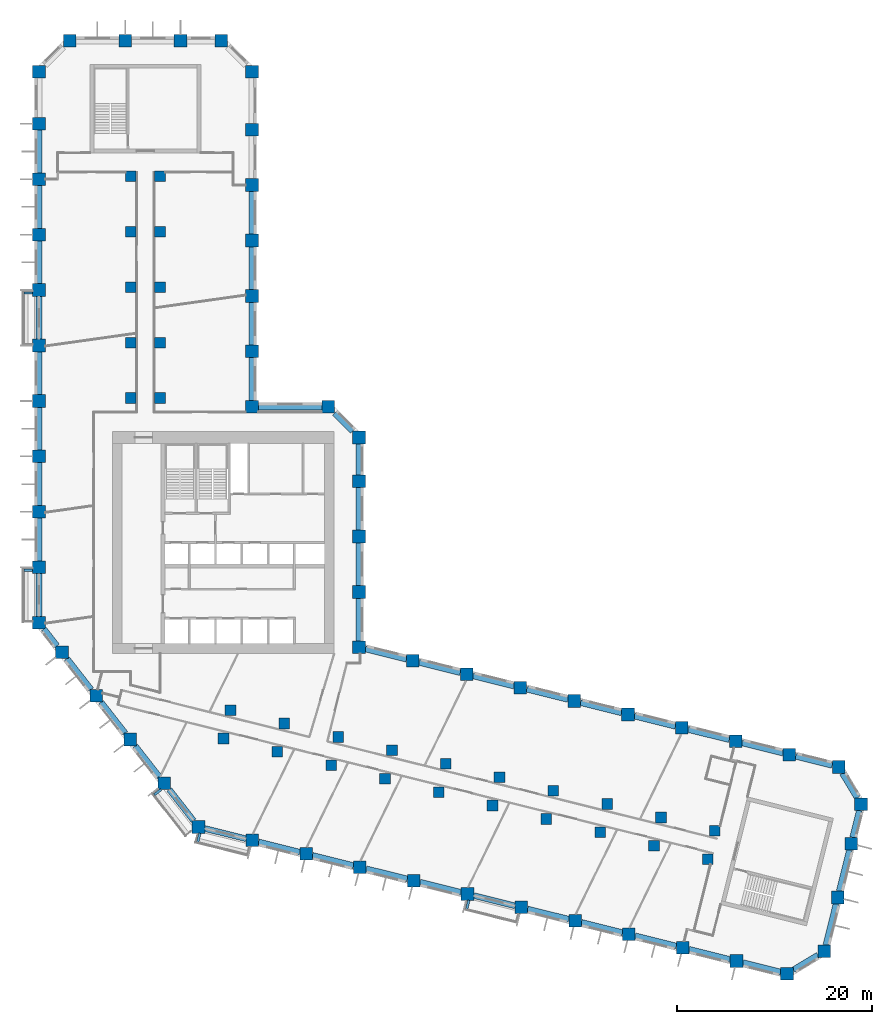
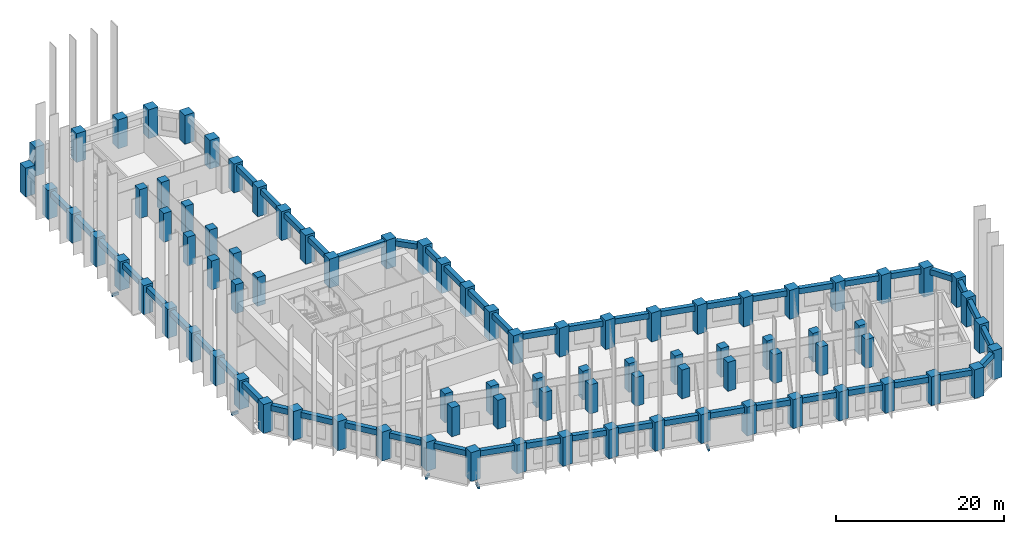
# One storey, part 1 of 11: 87 columns, 54 beams.
"""IFC4 building model written with IfcOpenShell, lengths in metres."""

from ifc_helpers import new_model, si_unit, direction, frame, origin, origin_2d, place, context, subcontext, project, spatial, rectangle, extrude, material, material_profile, profile_set, type_object, element, save


model = new_model("IFC4")

# Units and contexts
model_context = context("Model", 3, precision=1e-05, world=origin(), true_north=direction((0.0, 1.0)))
body_context = subcontext(model_context, "Body", "Model", "MODEL_VIEW")
ifc_project = project(units=[si_unit("LENGTHUNIT", "METRE"), si_unit("AREAUNIT", "SQUARE_METRE"), si_unit("VOLUMEUNIT", "CUBIC_METRE"), si_unit("PLANEANGLEUNIT", "RADIAN"), si_unit("MASSUNIT", "GRAM", prefix="KILO")], contexts=[model_context])

# Site, building, storey
site_placement = place(None, origin())
site = spatial("IfcSite", under=ifc_project, at=site_placement, CompositionType="ELEMENT")
building_placement = place(site_placement, origin())
building = spatial("IfcBuilding", under=site, at=building_placement, Name="Meshkara Civic Tower", CompositionType="ELEMENT")
storey_placement = place(building_placement, frame((0.0, 0.0, 97.199951171875)))
storey = spatial("IfcBuildingStorey", under=building, at=storey_placement, Name="L21", CompositionType="ELEMENT", Elevation=97.199951171875)

# Columns
ifc_material_1 = material(Name="Concrete C70", Category="concrete")
ifc_material_profile_1 = material_profile(ifc_material_1, rectangle(XDim=1.10009765625, YDim=1.10009765625, at=origin_2d()))
ifc_profile_set_1 = profile_set([ifc_material_profile_1], Name="Concrete C70")
column_type_1 = type_object("IfcColumnType", Name="Interior column RC 1100x1100 C70", PredefinedType="COLUMN", material=ifc_profile_set_1)
for number, where, z_axis, x_axis, name in (
    (1, (9.89990234375, 40.35009765625, 0.0), (0.0, 0.0, 1.0), (1.0, 0.0, 0.0), "Column SA1-04 L21"),
    (2, (9.89990234375, 46.050048828125, 0.0), (0.0, 0.0, 1.0), (1.0, 0.0, 0.0), "Column SA1-05 L21"),
    (3, (9.89990234375, 51.75, 0.0), (0.0, 0.0, 1.0), (1.0, 0.0, 0.0), "Column SA1-06 L21"),
    (4, (9.89990234375, 57.449951171875, 0.0), (0.0, 0.0, 1.0), (1.0, 0.0, 0.0), "Column SA1-07 L21"),
    (5, (9.89990234375, 63.14990234375, 0.0), (0.0, 0.0, 1.0), (1.0, 0.0, 0.0), "Column SA1-08 L21"),
    (6, (12.89990234375, 40.35009765625, 0.0), (0.0, 0.0, 1.0), (1.0, 0.0, 0.0), "Column SA2-04 L21"),
    (7, (12.89990234375, 46.050048828125, 0.0), (0.0, 0.0, 1.0), (1.0, 0.0, 0.0), "Column SA2-05 L21"),
    (8, (12.89990234375, 51.75, 0.0), (0.0, 0.0, 1.0), (1.0, 0.0, 0.0), "Column SA2-06 L21"),
    (9, (12.89990234375, 57.449951171875, 0.0), (0.0, 0.0, 1.0), (1.0, 0.0, 0.0), "Column SA2-07 L21"),
    (10, (12.89990234375, 63.14990234375, 0.0), (0.0, 0.0, 1.0), (1.0, 0.0, 0.0), "Column SA2-08 L21"),
    (11, (19.424072265625, 5.360107421875, 0.0), (0.0, 0.0, 1.0), (1.0, 0.0, 0.0), "Column SB1-00 L21"),
    (12, (24.9541015625, 3.98095703125, 0.0), (0.0, 0.0, 1.0), (1.0, 0.0, 0.0), "Column SB1-01 L21"),
    (13, (30.485107421875, 2.60205078125, 0.0), (0.0, 0.0, 1.0), (1.0, 0.0, 0.0), "Column SB1-02 L21"),
    (14, (36.01611328125, 1.222900390625, 0.0), (0.0, 0.0, 1.0), (1.0, 0.0, 0.0), "Column SB1-03 L21"),
    (15, (41.5458984375, -0.156005859375, 0.0), (0.0, 0.0, 1.0), (1.0, 0.0, 0.0), "Column SB1-04 L21"),
    (16, (47.076904296875, -1.534912109375, 0.0), (0.0, 0.0, 1.0), (1.0, 0.0, 0.0), "Column SB1-05 L21"),
    (17, (52.60791015625, -2.9140625, 0.0), (0.0, 0.0, 1.0), (1.0, 0.0, 0.0), "Column SB1-06 L21"),
    (18, (58.138916015625, -4.2919921875, 0.0), (0.0, 0.0, 1.0), (1.0, 0.0, 0.0), "Column SB1-07 L21"),
    (19, (63.6689453125, -5.6708984375, 0.0), (0.0, 0.0, 1.0), (1.0, 0.0, 0.0), "Column SB1-08 L21"),
    (20, (69.199951171875, -7.050048828125, 0.0), (0.0, 0.0, 1.0), (1.0, 0.0, 0.0), "Column SB1-09 L21"),
    (21, (20.14892578125, 8.27099609375, 0.0), (0.0, 0.0, 1.0), (1.0, 0.0, 0.0), "Column SB2-00 L21"),
    (22, (25.679931640625, 6.89208984375, 0.0), (0.0, 0.0, 1.0), (1.0, 0.0, 0.0), "Column SB2-01 L21"),
    (23, (31.2109375, 5.512939453125, 0.0), (0.0, 0.0, 1.0), (1.0, 0.0, 0.0), "Column SB2-02 L21"),
    (24, (36.741943359375, 4.134033203125, 0.0), (0.0, 0.0, 1.0), (1.0, 0.0, 0.0), "Column SB2-03 L21"),
    (25, (42.27197265625, 2.7548828125, 0.0), (0.0, 0.0, 1.0), (1.0, 0.0, 0.0), "Column SB2-04 L21"),
    (26, (47.802978515625, 1.3759765625, 0.0), (0.0, 0.0, 1.0), (1.0, 0.0, 0.0), "Column SB2-05 L21"),
    (27, (53.333984375, -0.0029296875, 0.0), (0.0, 0.0, 1.0), (1.0, 0.0, 0.0), "Column SB2-06 L21"),
    (28, (58.864013671875, -1.382080078125, 0.0), (0.0, 0.0, 1.0), (1.0, 0.0, 0.0), "Column SB2-07 L21"),
    (29, (64.39501953125, -2.760986328125, 0.0), (0.0, 0.0, 1.0), (1.0, 0.0, 0.0), "Column SB2-08 L21"),
    (30, (69.926025390625, -4.139892578125, 0.0), (0.0, 0.0, 1.0), (1.0, 0.0, 0.0), "Column SB2-09 L21"),
):
    element("IfcColumn", number, at=place(storey_placement, frame(where, z_axis=z_axis, x_axis=x_axis)), inside=storey, type_object=column_type_1, Name=name, PredefinedType="COLUMN", context=body_context, shape_type="SweptSolid", body=[
        extrude(rectangle(XDim=1.10009765625, YDim=1.10009765625, at=origin_2d()), origin(), (0.0, 0.0, 1.0), 4.199951171875),
    ])
ifc_material_2 = material(Name="Concrete C70", Category="concrete")
ifc_material_profile_2 = material_profile(ifc_material_2, rectangle(XDim=1.300048828125, YDim=1.300048828125, at=origin_2d()))
ifc_profile_set_2 = profile_set([ifc_material_profile_2], Name="Concrete C70")
column_type_2 = type_object("IfcColumnType", Name="Perimeter column RC 1300x1300 C70", PredefinedType="COLUMN", material=ifc_profile_set_2)
for number, where, z_axis, x_axis, name in (
    (31, (33.35009765625, 14.718994140625, 0.0), (0.0, 0.0, 1.0), (1.0, 0.0, 0.0), "Column HE00 L21"),
    (32, (33.35009765625, 20.4189453125, 0.0), (0.0, 0.0, 1.0), (1.0, 0.0, 0.0), "Column HE01 L21"),
    (33, (33.35009765625, 26.118896484375, 0.0), (0.0, 0.0, 1.0), (1.0, 0.0, 0.0), "Column HE02 L21"),
    (34, (33.35009765625, 31.819091796875, 0.0), (0.0, 0.0, 1.0), (1.0, 0.0, 0.0), "Column HE03 L21"),
    (35, (33.35009765625, 36.2939453125, 0.0), (0.0, 0.0, 1.0), (1.0, 0.0, 0.0), "Column HEE L21"),
    (36, (30.194091796875, 39.449951171875, 0.0), (0.0, 0.0, 1.0), (1.0, 0.0, 0.0), "Column HCeE L21"),
    (37, (22.35009765625, 39.449951171875, 0.0), (0.0, 0.0, 1.0), (1.0, 0.0, 0.0), "Column HN00 L21"),
    (38, (22.35009765625, 45.14990234375, 0.0), (0.0, 0.0, 1.0), (1.0, 0.0, 0.0), "Column AE01 L21"),
    (39, (22.35009765625, 50.85009765625, 0.0), (0.0, 0.0, 1.0), (1.0, 0.0, 0.0), "Column AE02 L21"),
    (40, (22.35009765625, 56.550048828125, 0.0), (0.0, 0.0, 1.0), (1.0, 0.0, 0.0), "Column AE03 L21"),
    (41, (22.35009765625, 62.25, 0.0), (0.0, 0.0, 1.0), (1.0, 0.0, 0.0), "Column AE04 L21"),
    (42, (22.35009765625, 67.949951171875, 0.0), (0.0, 0.0, 1.0), (1.0, 0.0, 0.0), "Column AE05 L21"),
    (43, (22.35009765625, 73.9140625, 0.0), (0.0, 0.0, 1.0), (1.0, 0.0, 0.0), "Column AEEP1 L21"),
    (44, (19.194091796875, 77.070068359375, 0.0), (0.0, 0.0, 1.0), (1.0, 0.0, 0.0), "Column ATiEP1 L21"),
    (45, (3.60595703125, 77.070068359375, 0.0), (0.0, 0.0, 1.0), (1.0, 0.0, 0.0), "Column AT00-P1 L21"),
    (46, (9.305908203125, 77.070068359375, 0.0), (0.0, 0.0, 1.0), (1.0, 0.0, 0.0), "Column AT01-P1 L21"),
    (47, (15.006103515625, 77.070068359375, 0.0), (0.0, 0.0, 1.0), (1.0, 0.0, 0.0), "Column AT02-P1 L21"),
    (48, (0.449951171875, 73.9140625, 0.0), (0.0, 0.0, 1.0), (1.0, 0.0, 0.0), "Column ATo00-P1 L21"),
    (49, (0.449951171875, 17.2548828125, 0.0), (0.0, 0.0, 1.0), (1.0, 0.0, 0.0), "Column AW00 L21"),
    (50, (0.449951171875, 22.955078125, 0.0), (0.0, 0.0, 1.0), (1.0, 0.0, 0.0), "Column AW01 L21"),
    (51, (0.449951171875, 28.655029296875, 0.0), (0.0, 0.0, 1.0), (1.0, 0.0, 0.0), "Column AW02 L21"),
    (52, (0.449951171875, 34.35498046875, 0.0), (0.0, 0.0, 1.0), (1.0, 0.0, 0.0), "Column AW03 L21"),
    (53, (0.449951171875, 40.054931640625, 0.0), (0.0, 0.0, 1.0), (1.0, 0.0, 0.0), "Column AW04 L21"),
    (54, (0.449951171875, 45.7548828125, 0.0), (0.0, 0.0, 1.0), (1.0, 0.0, 0.0), "Column AW05 L21"),
    (55, (0.449951171875, 51.455078125, 0.0), (0.0, 0.0, 1.0), (1.0, 0.0, 0.0), "Column AW06 L21"),
    (56, (0.449951171875, 57.155029296875, 0.0), (0.0, 0.0, 1.0), (1.0, 0.0, 0.0), "Column AW07 L21"),
    (57, (0.449951171875, 62.85498046875, 0.0), (0.0, 0.0, 1.0), (1.0, 0.0, 0.0), "Column AW08 L21"),
    (58, (0.449951171875, 68.554931640625, 0.0), (0.0, 0.0, 1.0), (1.0, 0.0, 0.0), "Column AW09 L21"),
    (59, (16.85107421875, -3.738037109375, 0.0), (0.0, 0.0, 1.0), (1.0, 0.0, 0.0), "Column BOW00 L21"),
    (60, (13.342041015625, 0.75390625, 0.0), (0.0, 0.0, 1.0), (1.0, 0.0, 0.0), "Column BOW01 L21"),
    (61, (9.8330078125, 5.2451171875, 0.0), (0.0, 0.0, 1.0), (1.0, 0.0, 0.0), "Column BOW02 L21"),
    (62, (6.322998046875, 9.737060546875, 0.0), (0.0, 0.0, 1.0), (1.0, 0.0, 0.0), "Column BOW03 L21"),
    (63, (2.81396484375, 14.22900390625, 0.0), (0.0, 0.0, 1.0), (1.0, 0.0, 0.0), "Column BOW04 L21"),
    (64, (22.382080078125, -5.116943359375, 0.0), (0.0, 0.0, 1.0), (1.0, 0.0, 0.0), "Column BS01 L21"),
    (65, (27.912109375, -6.49609375, 0.0), (0.0, 0.0, 1.0), (1.0, 0.0, 0.0), "Column BS02 L21"),
    (66, (33.443115234375, -7.875, 0.0), (0.0, 0.0, 1.0), (1.0, 0.0, 0.0), "Column BS03 L21"),
    (67, (38.97412109375, -9.2529296875, 0.0), (0.0, 0.0, 1.0), (1.0, 0.0, 0.0), "Column BS04-P1 L21"),
    (68, (44.5048828125, -10.632080078125, 0.0), (0.0, 0.0, 1.0), (1.0, 0.0, 0.0), "Column BS05 L21"),
    (69, (50.034912109375, -12.010986328125, 0.0), (0.0, 0.0, 1.0), (1.0, 0.0, 0.0), "Column BS06 L21"),
    (70, (55.56591796875, -13.389892578125, 0.0), (0.0, 0.0, 1.0), (1.0, 0.0, 0.0), "Column BS07 L21"),
    (71, (61.096923828125, -14.76904296875, 0.0), (0.0, 0.0, 1.0), (1.0, 0.0, 0.0), "Column BS08 L21"),
    (72, (66.626953125, -16.14794921875, 0.0), (0.0, 0.0, 1.0), (1.0, 0.0, 0.0), "Column BS09 L21"),
    (73, (72.157958984375, -17.527099609375, 0.0), (0.0, 0.0, 1.0), (1.0, 0.0, 0.0), "Column BS10 L21"),
    (74, (77.35791015625, -18.822998046875, 0.0), (0.0, 0.0, 1.0), (1.0, 0.0, 0.0), "Column BSEP1 L21"),
    (75, (81.18310546875, -16.52392578125, 0.0), (0.0, 0.0, 1.0), (1.0, 0.0, 0.0), "Column BToEP1 L21"),
    (76, (82.56201171875, -10.992919921875, 0.0), (0.0, 0.0, 1.0), (1.0, 0.0, 0.0), "Column BT01-P1 L21"),
    (77, (83.94091796875, -5.462890625, 0.0), (0.0, 0.0, 1.0), (1.0, 0.0, 0.0), "Column BT02-P1 L21"),
    (78, (84.9541015625, -1.39990234375, 0.0), (0.0, 0.0, 1.0), (1.0, 0.0, 0.0), "Column BTEP1 L21"),
    (79, (82.655029296875, 2.425048828125, 0.0), (0.0, 0.0, 1.0), (1.0, 0.0, 0.0), "Column BTi00-P1 L21"),
    (80, (38.881103515625, 13.340087890625, 0.0), (0.0, 0.0, 1.0), (1.0, 0.0, 0.0), "Column BN01 L21"),
    (81, (44.410888671875, 11.9609375, 0.0), (0.0, 0.0, 1.0), (1.0, 0.0, 0.0), "Column BN02 L21"),
    (82, (49.94189453125, 10.58203125, 0.0), (0.0, 0.0, 1.0), (1.0, 0.0, 0.0), "Column BN03 L21"),
    (83, (55.472900390625, 9.202880859375, 0.0), (0.0, 0.0, 1.0), (1.0, 0.0, 0.0), "Column BN04 L21"),
    (84, (61.0029296875, 7.823974609375, 0.0), (0.0, 0.0, 1.0), (1.0, 0.0, 0.0), "Column BN05 L21"),
    (85, (66.533935546875, 6.445068359375, 0.0), (0.0, 0.0, 1.0), (1.0, 0.0, 0.0), "Column BN06 L21"),
    (86, (72.06494140625, 5.06591796875, 0.0), (0.0, 0.0, 1.0), (1.0, 0.0, 0.0), "Column BN07 L21"),
    (87, (77.594970703125, 3.68701171875, 0.0), (0.0, 0.0, 1.0), (1.0, 0.0, 0.0), "Column BN08 L21"),
):
    element("IfcColumn", number, at=place(storey_placement, frame(where, z_axis=z_axis, x_axis=x_axis)), inside=storey, type_object=column_type_2, Name=name, PredefinedType="COLUMN", context=body_context, shape_type="SweptSolid", body=[
        extrude(rectangle(XDim=1.300048828125, YDim=1.300048828125, at=origin_2d()), origin(), (0.0, 0.0, 1.0), 4.199951171875),
    ])

# Beams
ifc_material_3 = material(Name="Concrete C50", Category="concrete")
ifc_material_profile_3 = material_profile(ifc_material_3, rectangle(XDim=0.25, YDim=0.39990234375, at=origin_2d()))
ifc_profile_set_3 = profile_set([ifc_material_profile_3], Name="Concrete C50")
beam_type_1 = type_object("IfcBeamType", Name="Balcony bracket beam RC 250x400 C50", PredefinedType="BEAM", material=ifc_profile_set_3)
for number, where, z_axis, x_axis, name in (
    (88, (-0.195068359375, 51.155029296875, -0.5), (-1.0, 0.0, 0.0), (0.0, -1.0, 0.0), "Balcony bracket beam"),
    (89, (-0.195068359375, 22.655029296875, -0.5), (-1.0, 0.0, 0.0), (0.0, -1.0, 0.0), "Balcony bracket beam"),
):
    element("IfcBeam", number, at=place(storey_placement, frame(where, z_axis=z_axis, x_axis=x_axis)), inside=storey, type_object=beam_type_1, Name=name, PredefinedType="BEAM", context=body_context, shape_type="SweptSolid", body=[
        extrude(rectangle(XDim=0.25, YDim=0.39990234375, at=origin_2d()), origin(), (0.0, 0.0, 1.0), 0.905029296875),
    ])
beam_1_placement = place(storey_placement, frame((13.0009765625, 0.10693359375, -0.5), z_axis=(-0.787936375825, -0.615756662693, 0.0), x_axis=(0.615756662693, -0.787936375825, 0.0)))
element("IfcBeam", 90, at=beam_1_placement, inside=storey, type_object=beam_type_1, Name="Balcony bracket beam", PredefinedType="BEAM", context=body_context, shape_type="SweptSolid", body=[
    extrude(rectangle(XDim=0.25, YDim=0.39990234375, at=origin_2d()), origin(), (0.0, 0.0, 1.0), 0.88330078125),
])
beam_2_placement = place(storey_placement, frame((16.9990234375, -4.383056640625, -0.5), z_axis=(-0.241757133902, -0.970336791123, 0.0), x_axis=(0.970336791123, -0.241757133902, 0.0)))
element("IfcBeam", 91, at=beam_2_placement, inside=storey, type_object=beam_type_1, Name="Balcony bracket beam", PredefinedType="BEAM", context=body_context, shape_type="SweptSolid", body=[
    extrude(rectangle(XDim=0.25, YDim=0.39990234375, at=origin_2d()), origin(), (0.0, 0.0, 1.0), 0.95947265625),
])
beam_3_placement = place(storey_placement, frame((44.653076171875, -11.277099609375, -0.5), z_axis=(-0.241757949961, -0.970336587804, 0.0), x_axis=(0.970336587804, -0.241757949961, 0.0)))
element("IfcBeam", 92, at=beam_3_placement, inside=storey, type_object=beam_type_1, Name="Balcony bracket beam", PredefinedType="BEAM", context=body_context, shape_type="SweptSolid", body=[
    extrude(rectangle(XDim=0.25, YDim=0.39990234375, at=origin_2d()), origin(), (0.0, 0.0, 1.0), 0.96044921875),
])
ifc_material_4 = material(Name="Concrete C70", Category="concrete")
ifc_material_profile_4 = material_profile(ifc_material_4, rectangle(XDim=0.60009765625, YDim=0.800048828125, at=origin_2d()))
ifc_profile_set_4 = profile_set([ifc_material_profile_4], Name="Concrete C70")
beam_type_2 = type_object("IfcBeamType", Name="Spandrel beam RC 600x800 C70", PredefinedType="BEAM", material=ifc_profile_set_4)
beam_4_placement = place(storey_placement, frame((76.949951171875, 3.847900390625, 3.5), z_axis=(-0.970293497888, 0.241930832999, 0.0), x_axis=(-0.241930832999, -0.970293497888, 0.0)))
element("IfcBeam", 93, at=beam_4_placement, inside=storey, type_object=beam_type_2, Name="Spandrel beam BN07-BN08", PredefinedType="BEAM", context=body_context, shape_type="SweptSolid", body=[
    extrude(rectangle(XDim=0.60009765625, YDim=0.800048828125, at=origin_2d()), origin(), (0.0, 0.0, 1.0), 4.36962890625),
])
for number, where, z_axis, x_axis, name in (
    (94, (71.419921875, 5.226806640625, 3.5), (-0.970293463154, 0.241930972304, 0.0), (-0.241930972304, -0.970293463154, 0.0), "Spandrel beam BN06-BN07"),
    (95, (65.888916015625, 6.605712890625, 3.5), (-0.970293463154, 0.241930972304, 0.0), (-0.241930972304, -0.970293463154, 0.0), "Spandrel beam BN05-BN06"),
):
    element("IfcBeam", number, at=place(storey_placement, frame(where, z_axis=z_axis, x_axis=x_axis)), inside=storey, type_object=beam_type_2, Name=name, PredefinedType="BEAM", context=body_context, shape_type="SweptSolid", body=[
        extrude(rectangle(XDim=0.60009765625, YDim=0.800048828125, at=origin_2d()), origin(), (0.0, 0.0, 1.0), 4.37060546875),
    ])
beam_5_placement = place(storey_placement, frame((60.35791015625, 7.98486328125, 3.5), z_axis=(-0.970293497888, 0.241930832999, 0.0), x_axis=(-0.241930832999, -0.970293497888, 0.0)))
element("IfcBeam", 96, at=beam_5_placement, inside=storey, type_object=beam_type_2, Name="Spandrel beam BN04-BN05", PredefinedType="BEAM", context=body_context, shape_type="SweptSolid", body=[
    extrude(rectangle(XDim=0.60009765625, YDim=0.800048828125, at=origin_2d()), origin(), (0.0, 0.0, 1.0), 4.36962890625),
])
for number, where, z_axis, x_axis, name in (
    (97, (54.827880859375, 9.36376953125, 3.5), (-0.970293463154, 0.241930972304, 0.0), (-0.241930972304, -0.970293463154, 0.0), "Spandrel beam BN03-BN04"),
    (98, (49.296875, 10.742919921875, 3.5), (-0.970293463154, 0.241930972304, 0.0), (-0.241930972304, -0.970293463154, 0.0), "Spandrel beam BN02-BN03"),
):
    element("IfcBeam", number, at=place(storey_placement, frame(where, z_axis=z_axis, x_axis=x_axis)), inside=storey, type_object=beam_type_2, Name=name, PredefinedType="BEAM", context=body_context, shape_type="SweptSolid", body=[
        extrude(rectangle(XDim=0.60009765625, YDim=0.800048828125, at=origin_2d()), origin(), (0.0, 0.0, 1.0), 4.37060546875),
    ])
beam_6_placement = place(storey_placement, frame((43.765869140625, 12.121826171875, 3.5), z_axis=(-0.970280380753, 0.241983434817, 0.0), x_axis=(-0.241983434817, -0.970280380753, 0.0)))
element("IfcBeam", 99, at=beam_6_placement, inside=storey, type_object=beam_type_2, Name="Spandrel beam BN01-BN02", PredefinedType="BEAM", context=body_context, shape_type="SweptSolid", body=[
    extrude(rectangle(XDim=0.60009765625, YDim=0.800048828125, at=origin_2d()), origin(), (0.0, 0.0, 1.0), 4.36962890625),
])
beam_7_placement = place(storey_placement, frame((38.23583984375, 13.500732421875, 3.5), z_axis=(-0.970293463154, 0.241930972304, 0.0), x_axis=(-0.241930972304, -0.970293463154, 0.0)))
element("IfcBeam", 100, at=beam_7_placement, inside=storey, type_object=beam_type_2, Name="Spandrel beam BN01-HE00", PredefinedType="BEAM", context=body_context, shape_type="SweptSolid", body=[
    extrude(rectangle(XDim=0.60009765625, YDim=0.800048828125, at=origin_2d()), origin(), (0.0, 0.0, 1.0), 4.37060546875),
])
beam_8_placement = place(storey_placement, frame((33.35009765625, 15.364013671875, 3.5), z_axis=(0.0, 1.0, 0.0), x_axis=(-1.0, 0.0, 0.0)))
element("IfcBeam", 101, at=beam_8_placement, inside=storey, type_object=beam_type_2, Name="Spandrel beam HE00-HE01", PredefinedType="BEAM", context=body_context, shape_type="SweptSolid", body=[
    extrude(rectangle(XDim=0.60009765625, YDim=0.800048828125, at=origin_2d()), origin(), (0.0, 0.0, 1.0), 4.409912109375),
])
for number, where, z_axis, x_axis, name in (
    (102, (33.35009765625, 21.06396484375, 3.5), (0.0, 1.0, 0.0), (-1.0, 0.0, 0.0), "Spandrel beam HE01-HE02"),
    (103, (33.35009765625, 26.763916015625, 3.5), (0.0, 1.0, 0.0), (-1.0, 0.0, 0.0), "Spandrel beam HE02-HE03"),
):
    element("IfcBeam", number, at=place(storey_placement, frame(where, z_axis=z_axis, x_axis=x_axis)), inside=storey, type_object=beam_type_2, Name=name, PredefinedType="BEAM", context=body_context, shape_type="SweptSolid", body=[
        extrude(rectangle(XDim=0.60009765625, YDim=0.800048828125, at=origin_2d()), origin(), (0.0, 0.0, 1.0), 4.41015625),
    ])
beam_9_placement = place(storey_placement, frame((33.35009765625, 32.464111328125, 3.5), z_axis=(0.0, 1.0, 0.0), x_axis=(-1.0, 0.0, 0.0)))
element("IfcBeam", 104, at=beam_9_placement, inside=storey, type_object=beam_type_2, Name="Spandrel beam HE03-HEE", PredefinedType="BEAM", context=body_context, shape_type="SweptSolid", body=[
    extrude(rectangle(XDim=0.60009765625, YDim=0.800048828125, at=origin_2d()), origin(), (0.0, 0.0, 1.0), 3.184814453125),
])
beam_10_placement = place(storey_placement, frame((32.70361328125, 36.9404296875, 3.5), z_axis=(-0.707106781187, 0.707106781187, 0.0), x_axis=(-0.707106781187, -0.707106781187, 0.0)))
element("IfcBeam", 105, at=beam_10_placement, inside=storey, type_object=beam_type_2, Name="Spandrel beam HCeE-HEE", PredefinedType="BEAM", context=body_context, shape_type="SweptSolid", body=[
    extrude(rectangle(XDim=0.60009765625, YDim=0.800048828125, at=origin_2d()), origin(), (0.0, 0.0, 1.0), 2.634765625),
])
beam_11_placement = place(storey_placement, frame((29.549072265625, 39.449951171875, 3.5), z_axis=(-1.0, 0.0, 0.0), x_axis=(0.0, -1.0, 0.0)))
element("IfcBeam", 106, at=beam_11_placement, inside=storey, type_object=beam_type_2, Name="Spandrel beam HCeE-HN00", PredefinedType="BEAM", context=body_context, shape_type="SweptSolid", body=[
    extrude(rectangle(XDim=0.60009765625, YDim=0.800048828125, at=origin_2d()), origin(), (0.0, 0.0, 1.0), 6.553955078125),
])
beam_12_placement = place(storey_placement, frame((22.35009765625, 40.094970703125, 3.5), z_axis=(0.0, 1.0, 0.0), x_axis=(-1.0, 0.0, 0.0)))
element("IfcBeam", 107, at=beam_12_placement, inside=storey, type_object=beam_type_2, Name="Spandrel beam AE01-HN00", PredefinedType="BEAM", context=body_context, shape_type="SweptSolid", body=[
    extrude(rectangle(XDim=0.60009765625, YDim=0.800048828125, at=origin_2d()), origin(), (0.0, 0.0, 1.0), 4.409912109375),
])
beam_13_placement = place(storey_placement, frame((22.35009765625, 45.794921875, 3.5), z_axis=(0.0, 1.0, 0.0), x_axis=(-1.0, 0.0, 0.0)))
element("IfcBeam", 108, at=beam_13_placement, inside=storey, type_object=beam_type_2, Name="Spandrel beam AE01-AE02", PredefinedType="BEAM", context=body_context, shape_type="SweptSolid", body=[
    extrude(rectangle(XDim=0.60009765625, YDim=0.800048828125, at=origin_2d()), origin(), (0.0, 0.0, 1.0), 4.41015625),
])
for number, where, z_axis, x_axis, name in (
    (109, (22.35009765625, 51.4951171875, 3.5), (0.0, 1.0, 0.0), (-1.0, 0.0, 0.0), "Spandrel beam AE02-AE03"),
    (110, (22.35009765625, 57.195068359375, 3.5), (0.0, 1.0, 0.0), (-1.0, 0.0, 0.0), "Spandrel beam AE03-AE04"),
    (111, (0.449951171875, 67.909912109375, 3.5), (0.0, -1.0, 0.0), (1.0, 0.0, 0.0), "Spandrel beam AW08-AW09"),
    (112, (0.449951171875, 62.2099609375, 3.5), (0.0, -1.0, 0.0), (1.0, 0.0, 0.0), "Spandrel beam AW07-AW08"),
    (113, (0.449951171875, 56.510009765625, 3.5), (0.0, -1.0, 0.0), (1.0, 0.0, 0.0), "Spandrel beam AW06-AW07"),
):
    element("IfcBeam", number, at=place(storey_placement, frame(where, z_axis=z_axis, x_axis=x_axis)), inside=storey, type_object=beam_type_2, Name=name, PredefinedType="BEAM", context=body_context, shape_type="SweptSolid", body=[
        extrude(rectangle(XDim=0.60009765625, YDim=0.800048828125, at=origin_2d()), origin(), (0.0, 0.0, 1.0), 4.409912109375),
    ])
for number, where, z_axis, x_axis, name in (
    (114, (0.449951171875, 50.81005859375, 3.5), (0.0, -1.0, 0.0), (1.0, 0.0, 0.0), "Spandrel beam AW05-AW06"),
    (115, (0.449951171875, 45.110107421875, 3.5), (0.0, -1.0, 0.0), (1.0, 0.0, 0.0), "Spandrel beam AW04-AW05"),
):
    element("IfcBeam", number, at=place(storey_placement, frame(where, z_axis=z_axis, x_axis=x_axis)), inside=storey, type_object=beam_type_2, Name=name, PredefinedType="BEAM", context=body_context, shape_type="SweptSolid", body=[
        extrude(rectangle(XDim=0.60009765625, YDim=0.800048828125, at=origin_2d()), origin(), (0.0, 0.0, 1.0), 4.41015625),
    ])
for number, where, z_axis, x_axis, name in (
    (116, (0.449951171875, 39.409912109375, 3.5), (0.0, -1.0, 0.0), (1.0, 0.0, 0.0), "Spandrel beam AW03-AW04"),
    (117, (0.449951171875, 33.7099609375, 3.5), (0.0, -1.0, 0.0), (1.0, 0.0, 0.0), "Spandrel beam AW02-AW03"),
    (118, (0.449951171875, 28.010009765625, 3.5), (0.0, -1.0, 0.0), (1.0, 0.0, 0.0), "Spandrel beam AW01-AW02"),
):
    element("IfcBeam", number, at=place(storey_placement, frame(where, z_axis=z_axis, x_axis=x_axis)), inside=storey, type_object=beam_type_2, Name=name, PredefinedType="BEAM", context=body_context, shape_type="SweptSolid", body=[
        extrude(rectangle(XDim=0.60009765625, YDim=0.800048828125, at=origin_2d()), origin(), (0.0, 0.0, 1.0), 4.409912109375),
    ])
beam_14_placement = place(storey_placement, frame((0.449951171875, 22.31005859375, 3.5), z_axis=(0.0, -1.0, 0.0), x_axis=(1.0, 0.0, 0.0)))
element("IfcBeam", 119, at=beam_14_placement, inside=storey, type_object=beam_type_2, Name="Spandrel beam AW00-AW01", PredefinedType="BEAM", context=body_context, shape_type="SweptSolid", body=[
    extrude(rectangle(XDim=0.60009765625, YDim=0.800048828125, at=origin_2d()), origin(), (0.0, 0.0, 1.0), 4.41015625),
])
beam_15_placement = place(storey_placement, frame((0.95458984375, 16.60888671875, 3.5), z_axis=(0.61568279769, -0.787994094286, 0.0), x_axis=(0.787994094286, 0.61568279769, 0.0)))
element("IfcBeam", 120, at=beam_15_placement, inside=storey, type_object=beam_type_2, Name="Spandrel beam AW00-BOW04", PredefinedType="BEAM", context=body_context, shape_type="SweptSolid", body=[
    extrude(rectangle(XDim=0.60009765625, YDim=0.800048828125, at=origin_2d()), origin(), (0.0, 0.0, 1.0), 2.200439453125),
])
beam_16_placement = place(storey_placement, frame((3.318603515625, 13.5830078125, 3.5), z_axis=(0.615612539127, -0.788048984309, 0.0), x_axis=(0.788048984309, 0.615612539127, 0.0)))
element("IfcBeam", 121, at=beam_16_placement, inside=storey, type_object=beam_type_2, Name="Spandrel beam BOW03-BOW04", PredefinedType="BEAM", context=body_context, shape_type="SweptSolid", body=[
    extrude(rectangle(XDim=0.60009765625, YDim=0.800048828125, at=origin_2d()), origin(), (0.0, 0.0, 1.0), 4.060546875),
])
beam_17_placement = place(storey_placement, frame((6.827880859375, 9.0908203125, 3.5), z_axis=(0.615716376188, -0.787967857272, 0.0), x_axis=(0.787967857272, 0.615716376188, 0.0)))
element("IfcBeam", 122, at=beam_17_placement, inside=storey, type_object=beam_type_2, Name="Spandrel beam BOW02-BOW03", PredefinedType="BEAM", context=body_context, shape_type="SweptSolid", body=[
    extrude(rectangle(XDim=0.60009765625, YDim=0.800048828125, at=origin_2d()), origin(), (0.0, 0.0, 1.0), 4.060791015625),
])
beam_18_placement = place(storey_placement, frame((10.337890625, 4.598876953125, 3.5), z_axis=(0.61568372316, -0.787993371188, 0.0), x_axis=(0.787993371188, 0.61568372316, 0.0)))
element("IfcBeam", 123, at=beam_18_placement, inside=storey, type_object=beam_type_2, Name="Spandrel beam BOW01-BOW02", PredefinedType="BEAM", context=body_context, shape_type="SweptSolid", body=[
    extrude(rectangle(XDim=0.60009765625, YDim=0.800048828125, at=origin_2d()), origin(), (0.0, 0.0, 1.0), 4.059326171875),
])
beam_19_placement = place(storey_placement, frame((13.8466796875, 0.10791015625, 3.5), z_axis=(0.615604368214, -0.78805536724, 0.0), x_axis=(0.78805536724, 0.615604368214, 0.0)))
element("IfcBeam", 124, at=beam_19_placement, inside=storey, type_object=beam_type_2, Name="Spandrel beam BOW00-BOW01", PredefinedType="BEAM", context=body_context, shape_type="SweptSolid", body=[
    extrude(rectangle(XDim=0.60009765625, YDim=0.800048828125, at=origin_2d()), origin(), (0.0, 0.0, 1.0), 4.060302734375),
])
beam_20_placement = place(storey_placement, frame((17.49609375, -3.898681640625, 3.5), z_axis=(0.970280349033, -0.241983562004, 0.0), x_axis=(0.241983562004, 0.970280349033, 0.0)))
element("IfcBeam", 125, at=beam_20_placement, inside=storey, type_object=beam_type_2, Name="Spandrel beam BOW00-BS01", PredefinedType="BEAM", context=body_context, shape_type="SweptSolid", body=[
    extrude(rectangle(XDim=0.60009765625, YDim=0.800048828125, at=origin_2d()), origin(), (0.0, 0.0, 1.0), 4.37060546875),
])
beam_21_placement = place(storey_placement, frame((23.027099609375, -5.27783203125, 3.5), z_axis=(0.970280380753, -0.241983434817, 0.0), x_axis=(0.241983434817, 0.970280380753, 0.0)))
element("IfcBeam", 126, at=beam_21_placement, inside=storey, type_object=beam_type_2, Name="Spandrel beam BS01-BS02", PredefinedType="BEAM", context=body_context, shape_type="SweptSolid", body=[
    extrude(rectangle(XDim=0.60009765625, YDim=0.800048828125, at=origin_2d()), origin(), (0.0, 0.0, 1.0), 4.36962890625),
])
beam_22_placement = place(storey_placement, frame((28.55712890625, -6.65673828125, 3.5), z_axis=(0.970293463154, -0.241930972304, 0.0), x_axis=(0.241930972304, 0.970293463154, 0.0)))
element("IfcBeam", 127, at=beam_22_placement, inside=storey, type_object=beam_type_2, Name="Spandrel beam BS02-BS03", PredefinedType="BEAM", context=body_context, shape_type="SweptSolid", body=[
    extrude(rectangle(XDim=0.60009765625, YDim=0.800048828125, at=origin_2d()), origin(), (0.0, 0.0, 1.0), 4.37060546875),
])
beam_23_placement = place(storey_placement, frame((34.088134765625, -8.03564453125, 3.5), z_axis=(0.97033279054, -0.241773190412, 0.0), x_axis=(0.241773190412, 0.97033279054, 0.0)))
element("IfcBeam", 128, at=beam_23_placement, inside=storey, type_object=beam_type_2, Name="Spandrel beam BS03-BS04-P1", PredefinedType="BEAM", context=body_context, shape_type="SweptSolid", body=[
    extrude(rectangle(XDim=0.60009765625, YDim=0.800048828125, at=origin_2d()), origin(), (0.0, 0.0, 1.0), 4.370361328125),
])
beam_24_placement = place(storey_placement, frame((39.619140625, -9.413818359375, 3.5), z_axis=(0.970293463154, -0.241930972304, 0.0), x_axis=(0.241930972304, 0.970293463154, 0.0)))
element("IfcBeam", 129, at=beam_24_placement, inside=storey, type_object=beam_type_2, Name="Spandrel beam BS04-P1-BS05", PredefinedType="BEAM", context=body_context, shape_type="SweptSolid", body=[
    extrude(rectangle(XDim=0.60009765625, YDim=0.800048828125, at=origin_2d()), origin(), (0.0, 0.0, 1.0), 4.37060546875),
])
beam_25_placement = place(storey_placement, frame((45.150146484375, -10.79296875, 3.5), z_axis=(0.970293497888, -0.241930832999, 0.0), x_axis=(0.241930832999, 0.970293497888, 0.0)))
element("IfcBeam", 130, at=beam_25_placement, inside=storey, type_object=beam_type_2, Name="Spandrel beam BS05-BS06", PredefinedType="BEAM", context=body_context, shape_type="SweptSolid", body=[
    extrude(rectangle(XDim=0.60009765625, YDim=0.800048828125, at=origin_2d()), origin(), (0.0, 0.0, 1.0), 4.36962890625),
])
for number, where, z_axis, x_axis, name in (
    (131, (50.68017578125, -12.171875, 3.5), (0.970293463154, -0.241930972304, 0.0), (0.241930972304, 0.970293463154, 0.0), "Spandrel beam BS06-BS07"),
    (132, (56.211181640625, -13.55078125, 3.5), (0.970293463154, -0.241930972304, 0.0), (0.241930972304, 0.970293463154, 0.0), "Spandrel beam BS07-BS08"),
):
    element("IfcBeam", number, at=place(storey_placement, frame(where, z_axis=z_axis, x_axis=x_axis)), inside=storey, type_object=beam_type_2, Name=name, PredefinedType="BEAM", context=body_context, shape_type="SweptSolid", body=[
        extrude(rectangle(XDim=0.60009765625, YDim=0.800048828125, at=origin_2d()), origin(), (0.0, 0.0, 1.0), 4.37060546875),
    ])
beam_26_placement = place(storey_placement, frame((61.7421875, -14.929931640625, 3.5), z_axis=(0.970293497888, -0.241930832999, 0.0), x_axis=(0.241930832999, 0.970293497888, 0.0)))
element("IfcBeam", 133, at=beam_26_placement, inside=storey, type_object=beam_type_2, Name="Spandrel beam BS08-BS09", PredefinedType="BEAM", context=body_context, shape_type="SweptSolid", body=[
    extrude(rectangle(XDim=0.60009765625, YDim=0.800048828125, at=origin_2d()), origin(), (0.0, 0.0, 1.0), 4.36962890625),
])
beam_27_placement = place(storey_placement, frame((67.272216796875, -16.308837890625, 3.5), z_axis=(0.970293463154, -0.241930972304, 0.0), x_axis=(0.241930972304, 0.970293463154, 0.0)))
element("IfcBeam", 134, at=beam_27_placement, inside=storey, type_object=beam_type_2, Name="Spandrel beam BS09-BS10", PredefinedType="BEAM", context=body_context, shape_type="SweptSolid", body=[
    extrude(rectangle(XDim=0.60009765625, YDim=0.800048828125, at=origin_2d()), origin(), (0.0, 0.0, 1.0), 4.37060546875),
])
beam_28_placement = place(storey_placement, frame((72.802978515625, -17.687744140625, 3.5), z_axis=(0.970323993045, -0.241808495551, 0.0), x_axis=(0.241808495551, 0.970323993045, 0.0)))
element("IfcBeam", 135, at=beam_28_placement, inside=storey, type_object=beam_type_2, Name="Spandrel beam BS10-BSEP1", PredefinedType="BEAM", context=body_context, shape_type="SweptSolid", body=[
    extrude(rectangle(XDim=0.60009765625, YDim=0.800048828125, at=origin_2d()), origin(), (0.0, 0.0, 1.0), 4.029541015625),
])
beam_29_placement = place(storey_placement, frame((78.003662109375, -18.434814453125, 3.5), z_axis=(0.857121046107, 0.515115047655, 0.0), x_axis=(-0.515115047655, 0.857121046107, 0.0)))
element("IfcBeam", 136, at=beam_29_placement, inside=storey, type_object=beam_type_2, Name="Spandrel beam BSEP1-BToEP1", PredefinedType="BEAM", context=body_context, shape_type="SweptSolid", body=[
    extrude(rectangle(XDim=0.60009765625, YDim=0.800048828125, at=origin_2d()), origin(), (0.0, 0.0, 1.0), 2.9560546875),
])
beam_30_placement = place(storey_placement, frame((81.34375, -15.87890625, 3.5), z_axis=(0.241930972304, 0.970293463154, 0.0), x_axis=(-0.970293463154, 0.241930972304, 0.0)))
element("IfcBeam", 137, at=beam_30_placement, inside=storey, type_object=beam_type_2, Name="Spandrel beam BT01-P1-BToEP1", PredefinedType="BEAM", context=body_context, shape_type="SweptSolid", body=[
    extrude(rectangle(XDim=0.60009765625, YDim=0.800048828125, at=origin_2d()), origin(), (0.0, 0.0, 1.0), 4.37060546875),
])
beam_31_placement = place(storey_placement, frame((82.722900390625, -10.347900390625, 3.5), z_axis=(0.241930832999, 0.970293497888, 0.0), x_axis=(-0.970293497888, 0.241930832999, 0.0)))
element("IfcBeam", 138, at=beam_31_placement, inside=storey, type_object=beam_type_2, Name="Spandrel beam BT01-P1-BT02-P1", PredefinedType="BEAM", context=body_context, shape_type="SweptSolid", body=[
    extrude(rectangle(XDim=0.60009765625, YDim=0.800048828125, at=origin_2d()), origin(), (0.0, 0.0, 1.0), 4.36962890625),
])
beam_32_placement = place(storey_placement, frame((84.101806640625, -4.81787109375, 3.5), z_axis=(0.241952611346, 0.970288067464, 0.0), x_axis=(-0.970288067464, 0.241952611346, 0.0)))
element("IfcBeam", 139, at=beam_32_placement, inside=storey, type_object=beam_type_2, Name="Spandrel beam BT02-P1-BTEP1", PredefinedType="BEAM", context=body_context, shape_type="SweptSolid", body=[
    extrude(rectangle(XDim=0.60009765625, YDim=0.800048828125, at=origin_2d()), origin(), (0.0, 0.0, 1.0), 2.857666015625),
])
beam_33_placement = place(storey_placement, frame((84.56591796875, -0.75439453125, 3.5), z_axis=(-0.515115047655, 0.857121046107, 0.0), x_axis=(-0.857121046107, -0.515115047655, 0.0)))
element("IfcBeam", 140, at=beam_33_placement, inside=storey, type_object=beam_type_2, Name="Spandrel beam BTEP1-BTi00-P1", PredefinedType="BEAM", context=body_context, shape_type="SweptSolid", body=[
    extrude(rectangle(XDim=0.60009765625, YDim=0.800048828125, at=origin_2d()), origin(), (0.0, 0.0, 1.0), 2.9560546875),
])
beam_34_placement = place(storey_placement, frame((82.010009765625, 2.5859375, 3.5), z_axis=(-0.970282789967, 0.241973774392, 0.0), x_axis=(-0.241973774392, -0.970282789967, 0.0)))
element("IfcBeam", 141, at=beam_34_placement, inside=storey, type_object=beam_type_2, Name="Spandrel beam BN08-BTi00-P1", PredefinedType="BEAM", context=body_context, shape_type="SweptSolid", body=[
    extrude(rectangle(XDim=0.60009765625, YDim=0.800048828125, at=origin_2d()), origin(), (0.0, 0.0, 1.0), 3.885498046875),
])

save(model, "model.ifc")
